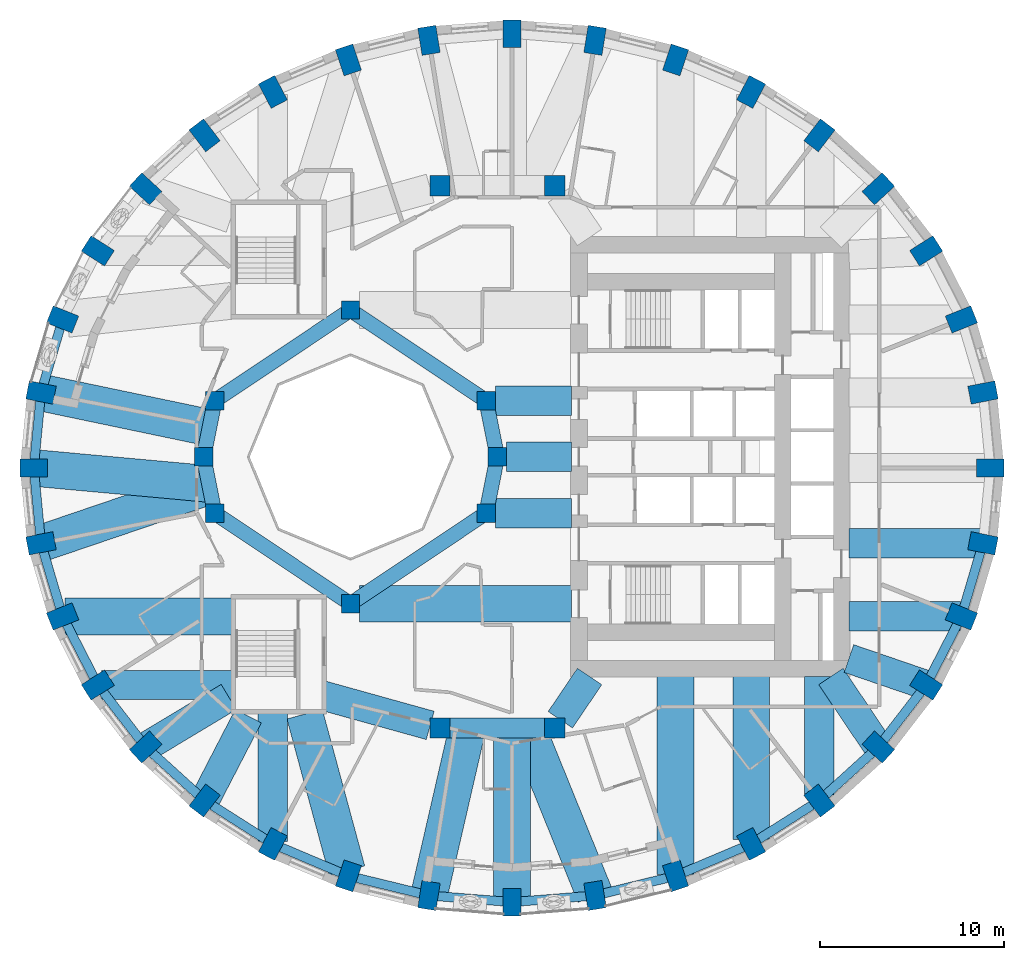
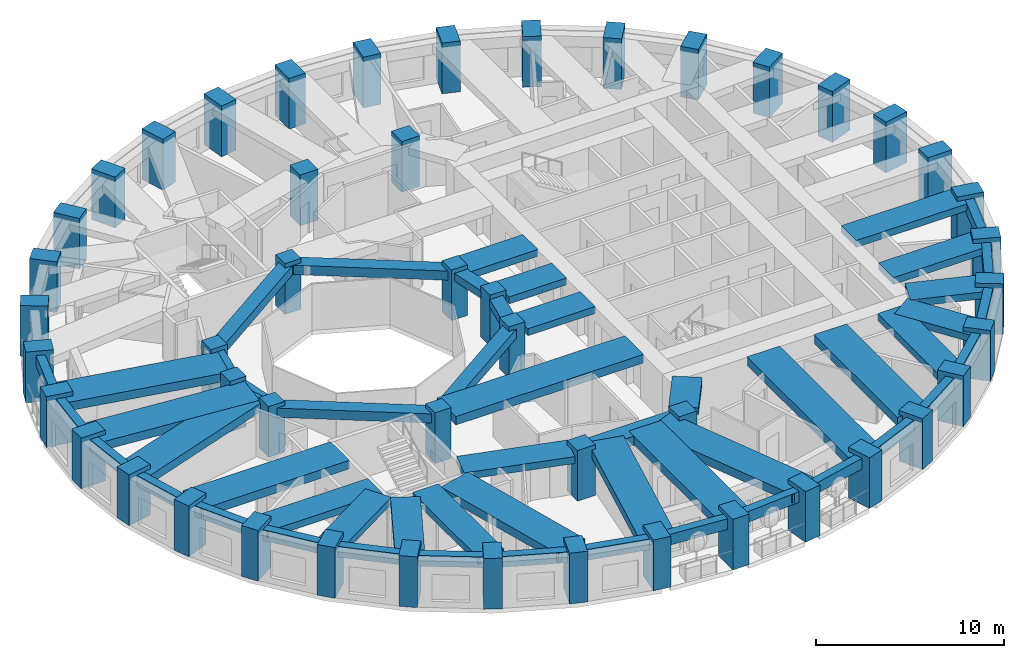
# One storey, part 1 of 13: 53 beams, 48 columns.
"""IFC4 building model written with IfcOpenShell, lengths in metres."""

from ifc_helpers import new_model, si_unit, direction, frame, origin, origin_2d, place, context, subcontext, project, spatial, rectangle, extrude, material, material_profile, profile_set, type_object, element, save


model = new_model("IFC4")

# Units and contexts
model_context = context("Model", 3, precision=1e-05, world=origin(), true_north=direction((0.0, 1.0)))
body_context = subcontext(model_context, "Body", "Model", "MODEL_VIEW")
ifc_project = project(units=[si_unit("LENGTHUNIT", "METRE"), si_unit("AREAUNIT", "SQUARE_METRE"), si_unit("VOLUMEUNIT", "CUBIC_METRE"), si_unit("PLANEANGLEUNIT", "RADIAN"), si_unit("MASSUNIT", "GRAM", prefix="KILO")], contexts=[model_context])

# Site, building, storey
site_placement = place(None, origin())
site = spatial("IfcSite", under=ifc_project, at=site_placement, CompositionType="ELEMENT")
building_placement = place(site_placement, origin())
building = spatial("IfcBuilding", under=site, at=building_placement, Name="Taillehof Tower", CompositionType="ELEMENT")
storey_placement = place(building_placement, frame((0.0, 0.0, 108.699951171875)))
storey = spatial("IfcBuildingStorey", under=building, at=storey_placement, Name="L30", CompositionType="ELEMENT", Elevation=108.699951171875)

# Columns
ifc_material_1 = material(Name="Concrete C50/60", Category="concrete")
ifc_material_profile_1 = material_profile(ifc_material_1, rectangle(XDim=1.0, YDim=1.0, at=origin_2d()), Name="RC 1000x1000")
ifc_profile_set_1 = profile_set([ifc_material_profile_1], Name="Concrete C50/60")
column_type_1 = type_object("IfcColumnType", Name="Atrium ring column C50/60 1000x1000", PredefinedType="COLUMN", material=ifc_profile_set_1)
for number, where, z_axis, x_axis, name in (
    (1, (0.0, 0.0, 0.0), (0.0, 0.0, 1.0), (1.0, 0.0, 0.0), "Column AC01"),
    (2, (-0.60888671875, 3.0615234375, 0.0), (0.0, 0.0, 1.0), (1.0, 0.0, 0.0), "Column AC02"),
    (3, (-8.0, 8.0, 0.0), (0.0, 0.0, 1.0), (1.0, 0.0, 0.0), "Column AC05"),
    (4, (-15.39111328125, 3.0615234375, 0.0), (0.0, 0.0, 1.0), (1.0, 0.0, 0.0), "Column AC08"),
    (5, (-16.0, 0.0, 0.0), (0.0, 0.0, 1.0), (1.0, 0.0, 0.0), "Column AC09"),
    (6, (-15.39111328125, -3.0615234375, 0.0), (0.0, 0.0, 1.0), (1.0, 0.0, 0.0), "Column AC10"),
    (7, (-8.0, -8.0, 0.0), (0.0, 0.0, 1.0), (1.0, 0.0, 0.0), "Column AC13"),
    (8, (-0.60888671875, -3.0615234375, 0.0), (0.0, 0.0, 1.0), (1.0, 0.0, 0.0), "Column AC16"),
):
    element("IfcColumn", number, at=place(storey_placement, frame(where, z_axis=z_axis, x_axis=x_axis)), inside=storey, type_object=column_type_1, Name=name, PredefinedType="COLUMN", context=body_context, shape_type="SweptSolid", body=[
        extrude(rectangle(XDim=1.0, YDim=1.0, at=origin_2d()), origin(), (0.0, 0.0, 1.0), 3.300048828125),
    ])
ifc_material_2 = material(Name="Concrete C50/60", Category="concrete")
ifc_material_profile_2 = material_profile(ifc_material_2, rectangle(XDim=1.10009765625, YDim=1.10009765625, at=origin_2d()), Name="RC 1100x1100")
ifc_profile_set_2 = profile_set([ifc_material_profile_2], Name="Concrete C50/60")
column_type_2 = type_object("IfcColumnType", Name="Mid-ring column C50/60 1100x1100", PredefinedType="COLUMN", material=ifc_profile_set_2)
for number, where, z_axis, x_axis, name in (
    (9, (3.125732421875, 14.772216796875, 0.0), (0.0, 0.0, 1.0), (1.0, 0.0, 0.0), "Column MC05"),
    (10, (-3.125732421875, 14.772216796875, 0.0), (0.0, 0.0, 1.0), (1.0, 0.0, 0.0), "Column MC06"),
    (11, (-3.125732421875, -14.772216796875, 0.0), (0.0, 0.0, 1.0), (1.0, 0.0, 0.0), "Column MC14"),
    (12, (3.125732421875, -14.772216796875, 0.0), (0.0, 0.0, 1.0), (1.0, 0.0, 0.0), "Column MC15"),
):
    element("IfcColumn", number, at=place(storey_placement, frame(where, z_axis=z_axis, x_axis=x_axis)), inside=storey, type_object=column_type_2, Name=name, PredefinedType="COLUMN", context=body_context, shape_type="SweptSolid", body=[
        extrude(rectangle(XDim=1.10009765625, YDim=1.10009765625, at=origin_2d()), origin(), (0.0, 0.0, 1.0), 3.300048828125),
    ])
ifc_material_3 = material(Name="Concrete C70/85", Category="concrete")
ifc_material_profile_3 = material_profile(ifc_material_3, rectangle(XDim=1.5, YDim=1.0, at=origin_2d()), Name="RC 1500x1000")
ifc_profile_set_3 = profile_set([ifc_material_profile_3], Name="Concrete C70/85")
column_type_3 = type_object("IfcColumnType", Name="Ring column C70/85 1500x1000", PredefinedType="COLUMN", material=ifc_profile_set_3)
for number, where, z_axis, x_axis, name in (
    (13, (26.85009765625, -0.60009765625, 0.0), (0.0, 0.0, 1.0), (1.0, 0.0, 0.0), "Ring column RC01"),
    (14, (26.454345703125, 3.5068359375, 0.0), (0.0, 0.0, 1.0), (0.981757466121, 0.190137523166, 0.0), "Ring column RC02"),
    (15, (25.279052734375, 7.48876953125, 0.0), (0.0, 0.0, 1.0), (0.928550110352, 0.371207075048, 0.0), "Ring column RC03"),
    (16, (23.35986328125, 11.22509765625, 0.0), (0.0, 0.0, 1.0), (0.844511454562, 0.535537489923, 0.0), "Ring column RC04"),
    (17, (20.75537109375, 14.60205078125, 0.0), (0.0, 0.0, 1.0), (0.735332034083, 0.677707016085, 0.0), "Ring column RC05"),
    (18, (17.544677734375, 17.516845703125, 0.0), (0.0, 0.0, 1.0), (0.607074228939, 0.794645128694, 0.0), "Ring column RC06"),
    (19, (13.824951171875, 19.881591796875, 0.0), (0.0, 0.0, 1.0), (0.465283017627, 0.885161970211, 0.0), "Ring column RC07"),
    (20, (9.709716796875, 21.623779296875, 0.0), (0.0, 0.0, 1.0), (0.314554972703, 0.949239258116, 0.0), "Ring column RC08"),
    (21, (5.323486328125, 22.690673828125, 0.0), (0.0, 0.0, 1.0), (0.158507038215, 0.987357847407, 0.0), "Ring column RC09"),
    (22, (0.800048828125, 23.050048828125, 0.0), (0.0, 0.0, 1.0), (0.0, 1.0, 0.0), "Ring column RC10"),
    (23, (-3.7236328125, 22.690673828125, 0.0), (0.0, 0.0, 1.0), (-0.158507038215, 0.987357847407, 0.0), "Ring column RC11"),
    (24, (-8.109619140625, 21.623779296875, 0.0), (0.0, 0.0, 1.0), (-0.314554972703, 0.949239258116, 0.0), "Ring column RC12"),
    (25, (-12.22509765625, 19.881591796875, 0.0), (0.0, 0.0, 1.0), (-0.465283017627, 0.885161970211, 0.0), "Ring column RC13"),
    (26, (-15.944580078125, 17.516845703125, 0.0), (0.0, 0.0, 1.0), (-0.607074228939, 0.794645128694, 0.0), "Ring column RC14"),
    (27, (-19.155517578125, 14.60205078125, 0.0), (0.0, 0.0, 1.0), (-0.735332034083, 0.677707016085, 0.0), "Ring column RC15"),
    (28, (-21.760009765625, 11.22509765625, 0.0), (0.0, 0.0, 1.0), (-0.844511454562, 0.535537489923, 0.0), "Ring column RC16"),
    (29, (-23.678955078125, 7.48876953125, 0.0), (0.0, 0.0, 1.0), (-0.928550110352, 0.371207075048, 0.0), "Ring column RC17"),
    (30, (-24.854248046875, 3.5068359375, 0.0), (0.0, 0.0, 1.0), (-0.981757466121, 0.190137523166, 0.0), "Ring column RC18"),
    (31, (-25.25, -0.60009765625, 0.0), (0.0, 0.0, 1.0), (-1.0, 0.0, 0.0), "Ring column RC19"),
    (32, (-24.854248046875, -4.706787109375, 0.0), (0.0, 0.0, 1.0), (-0.981757466121, -0.190137523166, 0.0), "Ring column RC20"),
    (33, (-23.678955078125, -8.688720703125, 0.0), (0.0, 0.0, 1.0), (-0.928550110352, -0.371207075048, 0.0), "Ring column RC21"),
    (34, (-21.760009765625, -12.425048828125, 0.0), (0.0, 0.0, 1.0), (-0.844511454562, -0.535537489923, 0.0), "Ring column RC22"),
    (35, (-19.155517578125, -15.802001953125, 0.0), (0.0, 0.0, 1.0), (-0.735332034083, -0.677707016085, 0.0), "Ring column RC23"),
    (36, (-15.944580078125, -18.717041015625, 0.0), (0.0, 0.0, 1.0), (-0.607074228939, -0.794645128694, 0.0), "Ring column RC24"),
    (37, (-12.22509765625, -21.08154296875, 0.0), (0.0, 0.0, 1.0), (-0.465283017627, -0.885161970211, 0.0), "Ring column RC25"),
    (38, (-8.109619140625, -22.82373046875, 0.0), (0.0, 0.0, 1.0), (-0.314554972703, -0.949239258116, 0.0), "Ring column RC26"),
    (39, (-3.7236328125, -23.890625, 0.0), (0.0, 0.0, 1.0), (-0.158507038215, -0.987357847407, 0.0), "Ring column RC27"),
    (40, (0.800048828125, -24.25, 0.0), (0.0, 0.0, 1.0), (0.0, -1.0, 0.0), "Ring column RC28"),
    (41, (5.323486328125, -23.890625, 0.0), (0.0, 0.0, 1.0), (0.158507038215, -0.987357847407, 0.0), "Ring column RC29"),
    (42, (9.709716796875, -22.82373046875, 0.0), (0.0, 0.0, 1.0), (0.314554972703, -0.949239258116, 0.0), "Ring column RC30"),
    (43, (13.824951171875, -21.08154296875, 0.0), (0.0, 0.0, 1.0), (0.465283017627, -0.885161970211, 0.0), "Ring column RC31"),
    (44, (17.544677734375, -18.717041015625, 0.0), (0.0, 0.0, 1.0), (0.607074228939, -0.794645128694, 0.0), "Ring column RC32"),
    (45, (20.75537109375, -15.802001953125, 0.0), (0.0, 0.0, 1.0), (0.735332034083, -0.677707016085, 0.0), "Ring column RC33"),
    (46, (23.35986328125, -12.425048828125, 0.0), (0.0, 0.0, 1.0), (0.844511454562, -0.535537489923, 0.0), "Ring column RC34"),
    (47, (25.279052734375, -8.688720703125, 0.0), (0.0, 0.0, 1.0), (0.928550110352, -0.371207075048, 0.0), "Ring column RC35"),
    (48, (26.454345703125, -4.706787109375, 0.0), (0.0, 0.0, 1.0), (0.981757466121, -0.190137523166, 0.0), "Ring column RC36"),
):
    element("IfcColumn", number, at=place(storey_placement, frame(where, z_axis=z_axis, x_axis=x_axis)), inside=storey, type_object=column_type_3, Name=name, PredefinedType="COLUMN", context=body_context, shape_type="SweptSolid", body=[
        extrude(rectangle(XDim=1.5, YDim=1.0, at=origin_2d()), origin(), (0.0, 0.0, 1.0), 3.300048828125),
    ])

# Beams
ifc_material_4 = material(Name="Concrete C50/60", Category="concrete")
ifc_material_profile_4 = material_profile(ifc_material_4, rectangle(XDim=0.800048828125, YDim=0.5, at=origin_2d()), Name="RC 800x500")
ifc_profile_set_4 = profile_set([ifc_material_profile_4], Name="Concrete C50/60")
beam_type_1 = type_object("IfcBeamType", Name="Atrium ring beam C50/60 800x500", PredefinedType="BEAM", material=ifc_profile_set_4)
for number, where, z_axis, x_axis, name in (
    (49, (0.0, 0.0, 2.77001953125), (-0.195063155143, 0.980790683839, 0.0), (-0.980790683839, -0.195063155143, 0.0), "Atrium ring beam AB01"),
    (50, (-15.39111328125, 3.0615234375, 2.77001953125), (-0.195063155143, -0.980790683839, 0.0), (0.980790683839, -0.195063155143, 0.0), "Atrium ring beam AB04"),
    (51, (-16.0, 0.0, 2.77001953125), (0.195063155143, -0.980790683839, 0.0), (0.980790683839, 0.195063155143, 0.0), "Atrium ring beam AB05"),
    (52, (-0.60888671875, -3.0615234375, 2.77001953125), (0.195063155143, 0.980790683839, 0.0), (-0.980790683839, 0.195063155143, 0.0), "Atrium ring beam AB08"),
):
    element("IfcBeam", number, at=place(storey_placement, frame(where, z_axis=z_axis, x_axis=x_axis)), inside=storey, type_object=beam_type_1, Name=name, PredefinedType="BEAM", context=body_context, shape_type="SweptSolid", body=[
        extrude(rectangle(XDim=0.800048828125, YDim=0.5, at=origin_2d()), origin(), (0.0, 0.0, 1.0), 3.12158203125),
    ])
ifc_material_5 = material(Name="Concrete C50/60", Category="concrete")
ifc_material_profile_5 = material_profile(ifc_material_5, rectangle(XDim=0.800048828125, YDim=0.60009765625, at=origin_2d()), Name="RC 800x600")
ifc_profile_set_5 = profile_set([ifc_material_profile_5], Name="Concrete C50/60")
beam_type_2 = type_object("IfcBeamType", Name="Atrium ring beam C50/60 800x600", PredefinedType="BEAM", material=ifc_profile_set_5)
for number, where, z_axis, x_axis, name in (
    (53, (-0.60888671875, 3.0615234375, 2.719970703125), (-0.831475195687, 0.555561876804, 0.0), (-0.555561876804, -0.831475195687, 0.0), "Atrium ring beam AB02"),
    (54, (-8.0, 8.0, 2.719970703125), (-0.831475195687, -0.555561876804, 0.0), (0.555561876804, -0.831475195687, 0.0), "Atrium ring beam AB03"),
    (55, (-15.39111328125, -3.0615234375, 2.719970703125), (0.831475195687, -0.555561876804, 0.0), (0.555561876804, 0.831475195687, 0.0), "Atrium ring beam AB06"),
    (56, (-8.0, -8.0, 2.719970703125), (0.831475195687, 0.555561876804, 0.0), (-0.555561876804, 0.831475195687, 0.0), "Atrium ring beam AB07"),
):
    element("IfcBeam", number, at=place(storey_placement, frame(where, z_axis=z_axis, x_axis=x_axis)), inside=storey, type_object=beam_type_2, Name=name, PredefinedType="BEAM", context=body_context, shape_type="SweptSolid", body=[
        extrude(rectangle(XDim=0.800048828125, YDim=0.60009765625, at=origin_2d()), origin(), (0.0, 0.0, 1.0), 8.88916015625),
    ])
ifc_material_6 = material(Name="Concrete C50/60", Category="concrete")
ifc_material_profile_6 = material_profile(ifc_material_6, rectangle(XDim=1.10009765625, YDim=0.60009765625, at=origin_2d()), Name="RC 1100x600")
ifc_profile_set_6 = profile_set([ifc_material_profile_6], Name="Concrete C50/60")
beam_type_3 = type_object("IfcBeamType", Name="Mid-ring beam C50/60 1100x600", PredefinedType="BEAM", material=ifc_profile_set_6)
beam_1_placement = place(storey_placement, frame((-3.125732421875, -14.772216796875, 2.719970703125), z_axis=(1.0, 0.0, 0.0), x_axis=(0.0, 1.0, 0.0)))
element("IfcBeam", 57, at=beam_1_placement, inside=storey, type_object=beam_type_3, Name="Mid-ring beam MB02", PredefinedType="BEAM", context=body_context, shape_type="SweptSolid", body=[
    extrude(rectangle(XDim=1.10009765625, YDim=0.60009765625, at=origin_2d()), origin(), (0.0, 0.0, 1.0), 6.25146484375),
])
ifc_material_7 = material(Name="Concrete C50/60", Category="concrete")
ifc_material_profile_7 = material_profile(ifc_material_7, rectangle(XDim=1.60009765625, YDim=0.449951171875, at=origin_2d()), Name="RC 1600x450")
ifc_profile_set_7 = profile_set([ifc_material_profile_7], Name="Concrete C50/60")
beam_type_4 = type_object("IfcBeamType", Name="Radial band beam C50/60 1600x450", PredefinedType="BEAM", material=ifc_profile_set_7)
beam_2_placement = place(storey_placement, frame((-21.54736328125, -12.425048828125, 2.795166015625), z_axis=(1.0, 0.0, 0.0), x_axis=(0.0, 1.0, 0.0)))
element("IfcBeam", 58, at=beam_2_placement, inside=storey, type_object=beam_type_4, Name="Radial band beam RB22", PredefinedType="BEAM", context=body_context, shape_type="SweptSolid", body=[
    extrude(rectangle(XDim=1.60009765625, YDim=0.449951171875, at=origin_2d()), origin(), (0.0, 0.0, 1.0), 7.097412109375),
])
beam_3_placement = place(storey_placement, frame((-19.155517578125, -15.802001953125, 2.795166015625), z_axis=(0.856794973818, 0.515657224171, 0.0), x_axis=(-0.515657224171, 0.856794973818, 0.0)))
element("IfcBeam", 59, at=beam_3_placement, inside=storey, type_object=beam_type_4, Name="Radial band beam RB23", PredefinedType="BEAM", context=body_context, shape_type="SweptSolid", body=[
    extrude(rectangle(XDim=1.60009765625, YDim=0.449951171875, at=origin_2d()), origin(), (0.0, 0.0, 1.0), 5.28369140625),
])
beam_4_placement = place(storey_placement, frame((-15.944580078125, -18.717041015625, 2.795166015625), z_axis=(0.460119038647, 0.8878572353, 0.0), x_axis=(-0.8878572353, 0.460119038647, 0.0)))
element("IfcBeam", 60, at=beam_4_placement, inside=storey, type_object=beam_type_4, Name="Radial band beam RB24", PredefinedType="BEAM", context=body_context, shape_type="SweptSolid", body=[
    extrude(rectangle(XDim=1.60009765625, YDim=0.449951171875, at=origin_2d()), origin(), (0.0, 0.0, 1.0), 5.1796875),
])
beam_5_placement = place(storey_placement, frame((-12.22509765625, -20.9443359375, 2.795166015625), z_axis=(0.0, 1.0, 0.0), x_axis=(-1.0, 0.0, 0.0)))
element("IfcBeam", 61, at=beam_5_placement, inside=storey, type_object=beam_type_4, Name="Radial band beam RB25", PredefinedType="BEAM", context=body_context, shape_type="SweptSolid", body=[
    extrude(rectangle(XDim=1.60009765625, YDim=0.449951171875, at=origin_2d()), origin(), (0.0, 0.0, 1.0), 6.994384765625),
])
beam_6_placement = place(storey_placement, frame((17.544677734375, -18.421875, 2.795166015625), z_axis=(0.0, 1.0, 0.0), x_axis=(-1.0, 0.0, 0.0)))
element("IfcBeam", 62, at=beam_6_placement, inside=storey, type_object=beam_type_4, Name="Radial band beam RB32", PredefinedType="BEAM", context=body_context, shape_type="SweptSolid", body=[
    extrude(rectangle(XDim=1.60009765625, YDim=0.449951171875, at=origin_2d()), origin(), (0.0, 0.0, 1.0), 6.471923828125),
])
beam_7_placement = place(storey_placement, frame((20.75537109375, -15.802001953125, 2.795166015625), z_axis=(-0.557822939952, 0.829959979555, 0.0), x_axis=(-0.829959979555, -0.557822939952, 0.0)))
element("IfcBeam", 63, at=beam_7_placement, inside=storey, type_object=beam_type_4, Name="Radial band beam RB33", PredefinedType="BEAM", context=body_context, shape_type="SweptSolid", body=[
    extrude(rectangle(XDim=1.60009765625, YDim=0.449951171875, at=origin_2d()), origin(), (0.0, 0.0, 1.0), 4.630859375),
])
beam_8_placement = place(storey_placement, frame((23.35986328125, -12.425048828125, 2.795166015625), z_axis=(-0.946037817118, 0.324056242932, 0.0), x_axis=(-0.324056242932, -0.946037817118, 0.0)))
element("IfcBeam", 64, at=beam_8_placement, inside=storey, type_object=beam_type_4, Name="Radial band beam RB34", PredefinedType="BEAM", context=body_context, shape_type="SweptSolid", body=[
    extrude(rectangle(XDim=1.60009765625, YDim=0.449951171875, at=origin_2d()), origin(), (0.0, 0.0, 1.0), 4.447265625),
])
beam_9_placement = place(storey_placement, frame((25.2275390625, -8.688720703125, 2.795166015625), z_axis=(-1.0, 0.0, 0.0), x_axis=(0.0, -1.0, 0.0)))
element("IfcBeam", 65, at=beam_9_placement, inside=storey, type_object=beam_type_4, Name="Radial band beam RB35", PredefinedType="BEAM", context=body_context, shape_type="SweptSolid", body=[
    extrude(rectangle(XDim=1.60009765625, YDim=0.449951171875, at=origin_2d()), origin(), (0.0, 0.0, 1.0), 6.07763671875),
])
beam_10_placement = place(storey_placement, frame((26.454345703125, -4.706787109375, 2.795166015625), z_axis=(-1.0, 0.0, 0.0), x_axis=(0.0, -1.0, 0.0)))
element("IfcBeam", 66, at=beam_10_placement, inside=storey, type_object=beam_type_4, Name="Radial band beam RB36", PredefinedType="BEAM", context=body_context, shape_type="SweptSolid", body=[
    extrude(rectangle(XDim=1.60009765625, YDim=0.449951171875, at=origin_2d()), origin(), (0.0, 0.0, 1.0), 7.304443359375),
])
beam_11_placement = place(storey_placement, frame((0.5, 0.0, 2.795166015625), z_axis=(1.0, 0.0, 0.0), x_axis=(0.0, 1.0, 0.0)))
element("IfcBeam", 67, at=beam_11_placement, inside=storey, type_object=beam_type_4, Name="Inner band beam IB101", PredefinedType="BEAM", context=body_context, shape_type="SweptSolid", body=[
    extrude(rectangle(XDim=1.60009765625, YDim=0.449951171875, at=origin_2d()), origin(), (0.0, 0.0, 1.0), 3.550048828125),
])
for number, where, z_axis, x_axis, name in (
    (68, (-0.10888671875, 3.0615234375, 2.795166015625), (1.0, 0.0, 0.0), (0.0, 1.0, 0.0), "Inner band beam IB102"),
    (69, (-0.10888671875, -3.0615234375, 2.795166015625), (1.0, 0.0, 0.0), (0.0, 1.0, 0.0), "Inner band beam IB116"),
):
    element("IfcBeam", number, at=place(storey_placement, frame(where, z_axis=z_axis, x_axis=x_axis)), inside=storey, type_object=beam_type_4, Name=name, PredefinedType="BEAM", context=body_context, shape_type="SweptSolid", body=[
        extrude(rectangle(XDim=1.60009765625, YDim=0.449951171875, at=origin_2d()), origin(), (0.0, 0.0, 1.0), 4.158935546875),
    ])
beam_12_placement = place(storey_placement, frame((-3.655517578125, -14.624755859375, 2.795166015625), z_axis=(-0.963459369536, 0.267854518821, 0.0), x_axis=(-0.267854518821, -0.963459369536, 0.0)))
element("IfcBeam", 70, at=beam_12_placement, inside=storey, type_object=beam_type_4, Name="Inner band beam IB214", PredefinedType="BEAM", context=body_context, shape_type="SweptSolid", body=[
    extrude(rectangle(XDim=1.60009765625, YDim=0.449951171875, at=origin_2d()), origin(), (0.0, 0.0, 1.0), 6.096923828125),
])
beam_13_placement = place(storey_placement, frame((3.433837890625, -14.31640625, 2.795166015625), z_axis=(0.560112043398, 0.828416862962, 0.0), x_axis=(-0.828416862962, 0.560112043398, 0.0)))
element("IfcBeam", 71, at=beam_13_placement, inside=storey, type_object=beam_type_4, Name="Inner band beam IB215", PredefinedType="BEAM", context=body_context, shape_type="SweptSolid", body=[
    extrude(rectangle(XDim=1.60009765625, YDim=0.449951171875, at=origin_2d()), origin(), (0.0, 0.0, 1.0), 2.84619140625),
])
ifc_material_8 = material(Name="Concrete C50/60", Category="concrete")
ifc_material_profile_8 = material_profile(ifc_material_8, rectangle(XDim=2.0, YDim=0.550048828125, at=origin_2d()), Name="RC 2000x550")
ifc_profile_set_8 = profile_set([ifc_material_profile_8], Name="Concrete C50/60")
beam_type_5 = type_object("IfcBeamType", Name="Radial band beam C50/60 2000x550", PredefinedType="BEAM", material=ifc_profile_set_8)
beam_14_placement = place(storey_placement, frame((-24.854248046875, 3.5068359375, 2.7451171875), z_axis=(0.978853404319, -0.204562980164, 0.0), x_axis=(0.204562980164, 0.978853404319, 0.0)))
element("IfcBeam", 72, at=beam_14_placement, inside=storey, type_object=beam_type_5, Name="Radial band beam RB18", PredefinedType="BEAM", context=body_context, shape_type="SweptSolid", body=[
    extrude(rectangle(XDim=2.0, YDim=0.550048828125, at=origin_2d()), origin(), (0.0, 0.0, 1.0), 9.36865234375),
])
beam_15_placement = place(storey_placement, frame((-25.25, -0.60009765625, 2.7451171875), z_axis=(0.995859515154, -0.090905588816, 0.0), x_axis=(0.090905588816, 0.995859515154, 0.0)))
element("IfcBeam", 73, at=beam_15_placement, inside=storey, type_object=beam_type_5, Name="Radial band beam RB19", PredefinedType="BEAM", context=body_context, shape_type="SweptSolid", body=[
    extrude(rectangle(XDim=2.0, YDim=0.550048828125, at=origin_2d()), origin(), (0.0, 0.0, 1.0), 9.58251953125),
])
beam_16_placement = place(storey_placement, frame((-24.854248046875, -4.706787109375, 2.7451171875), z_axis=(0.946822052625, 0.321757673822, 0.0), x_axis=(-0.321757673822, 0.946822052625, 0.0)))
element("IfcBeam", 74, at=beam_16_placement, inside=storey, type_object=beam_type_5, Name="Radial band beam RB20", PredefinedType="BEAM", context=body_context, shape_type="SweptSolid", body=[
    extrude(rectangle(XDim=2.0, YDim=0.550048828125, at=origin_2d()), origin(), (0.0, 0.0, 1.0), 9.685791015625),
])
beam_17_placement = place(storey_placement, frame((-23.54736328125, -8.688720703125, 2.7451171875), z_axis=(1.0, 0.0, 0.0), x_axis=(0.0, 1.0, 0.0)))
element("IfcBeam", 75, at=beam_17_placement, inside=storey, type_object=beam_type_5, Name="Radial band beam RB21", PredefinedType="BEAM", context=body_context, shape_type="SweptSolid", body=[
    extrude(rectangle(XDim=2.0, YDim=0.550048828125, at=origin_2d()), origin(), (0.0, 0.0, 1.0), 9.097412109375),
])
beam_18_placement = place(storey_placement, frame((-8.186767578125, -22.539306640625, 2.7451171875), z_axis=(-0.261461600872, 0.965213878511, 0.0), x_axis=(-0.965213878511, -0.261461600872, 0.0)))
element("IfcBeam", 76, at=beam_18_placement, inside=storey, type_object=beam_type_5, Name="Radial band beam RB26", PredefinedType="BEAM", context=body_context, shape_type="SweptSolid", body=[
    extrude(rectangle(XDim=2.0, YDim=0.550048828125, at=origin_2d()), origin(), (0.0, 0.0, 1.0), 8.835205078125),
])
beam_19_placement = place(storey_placement, frame((-3.7236328125, -23.890625, 2.7451171875), z_axis=(0.224215346781, 0.974539623755, 0.0), x_axis=(-0.974539623755, 0.224215346781, 0.0)))
element("IfcBeam", 77, at=beam_19_placement, inside=storey, type_object=beam_type_5, Name="Radial band beam RB27", PredefinedType="BEAM", context=body_context, shape_type="SweptSolid", body=[
    extrude(rectangle(XDim=2.0, YDim=0.550048828125, at=origin_2d()), origin(), (0.0, 0.0, 1.0), 9.356689453125),
])
beam_20_placement = place(storey_placement, frame((0.800048828125, -24.25, 2.7451171875), z_axis=(0.0, 1.0, 0.0), x_axis=(-1.0, 0.0, 0.0)))
element("IfcBeam", 78, at=beam_20_placement, inside=storey, type_object=beam_type_5, Name="Radial band beam RB28", PredefinedType="BEAM", context=body_context, shape_type="SweptSolid", body=[
    extrude(rectangle(XDim=2.0, YDim=0.550048828125, at=origin_2d()), origin(), (0.0, 0.0, 1.0), 9.477783203125),
])
beam_21_placement = place(storey_placement, frame((5.323486328125, -23.890625, 2.7451171875), z_axis=(-0.375801287916, 0.926700270854, 0.0), x_axis=(-0.926700270854, -0.375801287916, 0.0)))
element("IfcBeam", 79, at=beam_21_placement, inside=storey, type_object=beam_type_5, Name="Radial band beam RB29", PredefinedType="BEAM", context=body_context, shape_type="SweptSolid", body=[
    extrude(rectangle(XDim=2.0, YDim=0.550048828125, at=origin_2d()), origin(), (0.0, 0.0, 1.0), 9.839599609375),
])
beam_22_placement = place(storey_placement, frame((9.709716796875, -22.756591796875, 2.7451171875), z_axis=(0.0, 1.0, 0.0), x_axis=(-1.0, 0.0, 0.0)))
element("IfcBeam", 80, at=beam_22_placement, inside=storey, type_object=beam_type_5, Name="Radial band beam RB30", PredefinedType="BEAM", context=body_context, shape_type="SweptSolid", body=[
    extrude(rectangle(XDim=2.0, YDim=0.550048828125, at=origin_2d()), origin(), (0.0, 0.0, 1.0), 10.806640625),
])
beam_23_placement = place(storey_placement, frame((13.824951171875, -20.839599609375, 2.7451171875), z_axis=(0.0, 1.0, 0.0), x_axis=(-1.0, 0.0, 0.0)))
element("IfcBeam", 81, at=beam_23_placement, inside=storey, type_object=beam_type_5, Name="Radial band beam RB31", PredefinedType="BEAM", context=body_context, shape_type="SweptSolid", body=[
    extrude(rectangle(XDim=2.0, YDim=0.550048828125, at=origin_2d()), origin(), (0.0, 0.0, 1.0), 8.8896484375),
])
beam_24_placement = place(storey_placement, frame((-7.5, -8.0, 2.7451171875), z_axis=(1.0, 0.0, 0.0), x_axis=(0.0, 1.0, 0.0)))
element("IfcBeam", 82, at=beam_24_placement, inside=storey, type_object=beam_type_5, Name="Inner band beam IB113", PredefinedType="BEAM", context=body_context, shape_type="SweptSolid", body=[
    extrude(rectangle(XDim=2.0, YDim=0.550048828125, at=origin_2d()), origin(), (0.0, 0.0, 1.0), 11.550048828125),
])
ifc_material_9 = material(Name="Concrete C50/60", Category="concrete")
ifc_material_profile_9 = material_profile(ifc_material_9, rectangle(XDim=0.5, YDim=0.699951171875, at=origin_2d()), Name="RC 500x700")
ifc_profile_set_9 = profile_set([ifc_material_profile_9], Name="Concrete C50/60")
beam_type_6 = type_object("IfcBeamType", Name="Spandrel beam C50/60 500x700", PredefinedType="SPANDREL", material=ifc_profile_set_9)
beam_25_placement = place(storey_placement, frame((-23.678955078125, 7.48876953125, 2.670166015625), z_axis=(-0.28308309012, -0.95909538842, 0.0), x_axis=(0.95909538842, -0.28308309012, 0.0)))
element("IfcBeam", 83, at=beam_25_placement, inside=storey, type_object=beam_type_6, Name="Spandrel beam SB17", PredefinedType="SPANDREL", context=body_context, shape_type="SweptSolid", body=[
    extrude(rectangle(XDim=0.5, YDim=0.699951171875, at=origin_2d()), origin(), (0.0, 0.0, 1.0), 4.15185546875),
])
beam_26_placement = place(storey_placement, frame((-24.854248046875, 3.5068359375, 2.670166015625), z_axis=(-0.095917608943, -0.995389276763, 0.0), x_axis=(0.995389276763, -0.095917608943, 0.0)))
element("IfcBeam", 84, at=beam_26_placement, inside=storey, type_object=beam_type_6, Name="Spandrel beam SB18", PredefinedType="SPANDREL", context=body_context, shape_type="SweptSolid", body=[
    extrude(rectangle(XDim=0.5, YDim=0.699951171875, at=origin_2d()), origin(), (0.0, 0.0, 1.0), 4.1259765625),
])
beam_27_placement = place(storey_placement, frame((-25.25, -0.60009765625, 2.670166015625), z_axis=(0.09592325873, -0.995388732323, 0.0), x_axis=(0.995388732323, 0.09592325873, 0.0)))
element("IfcBeam", 85, at=beam_27_placement, inside=storey, type_object=beam_type_6, Name="Spandrel beam SB19", PredefinedType="SPANDREL", context=body_context, shape_type="SweptSolid", body=[
    extrude(rectangle(XDim=0.5, YDim=0.699951171875, at=origin_2d()), origin(), (0.0, 0.0, 1.0), 4.125732421875),
])
beam_28_placement = place(storey_placement, frame((-24.854248046875, -4.706787109375, 2.670166015625), z_axis=(0.28308309012, -0.95909538842, 0.0), x_axis=(0.95909538842, 0.28308309012, 0.0)))
element("IfcBeam", 86, at=beam_28_placement, inside=storey, type_object=beam_type_6, Name="Spandrel beam SB20", PredefinedType="SPANDREL", context=body_context, shape_type="SweptSolid", body=[
    extrude(rectangle(XDim=0.5, YDim=0.699951171875, at=origin_2d()), origin(), (0.0, 0.0, 1.0), 4.15185546875),
])
beam_29_placement = place(storey_placement, frame((-23.678955078125, -8.688720703125, 2.670166015625), z_axis=(0.456859381733, -0.889538928503, 0.0), x_axis=(0.889538928503, 0.456859381733, 0.0)))
element("IfcBeam", 87, at=beam_29_placement, inside=storey, type_object=beam_type_6, Name="Spandrel beam SB21", PredefinedType="SPANDREL", context=body_context, shape_type="SweptSolid", body=[
    extrude(rectangle(XDim=0.5, YDim=0.699951171875, at=origin_2d()), origin(), (0.0, 0.0, 1.0), 4.2001953125),
])
beam_30_placement = place(storey_placement, frame((-21.760009765625, -12.425048828125, 2.670166015625), z_axis=(0.61071731561, -0.79184869793, 0.0), x_axis=(0.79184869793, 0.61071731561, 0.0)))
element("IfcBeam", 88, at=beam_30_placement, inside=storey, type_object=beam_type_6, Name="Spandrel beam SB22", PredefinedType="SPANDREL", context=body_context, shape_type="SweptSolid", body=[
    extrude(rectangle(XDim=0.5, YDim=0.699951171875, at=origin_2d()), origin(), (0.0, 0.0, 1.0), 4.2646484375),
])
beam_31_placement = place(storey_placement, frame((-19.155517578125, -15.802001953125, 2.670166015625), z_axis=(0.740398416885, -0.672168270803, 0.0), x_axis=(0.672168270803, 0.740398416885, 0.0)))
element("IfcBeam", 89, at=beam_31_placement, inside=storey, type_object=beam_type_6, Name="Spandrel beam SB23", PredefinedType="SPANDREL", context=body_context, shape_type="SweptSolid", body=[
    extrude(rectangle(XDim=0.5, YDim=0.699951171875, at=origin_2d()), origin(), (0.0, 0.0, 1.0), 4.336669921875),
])
beam_32_placement = place(storey_placement, frame((-15.944580078125, -18.717041015625, 2.670166015625), z_axis=(0.843912293293, -0.536481165773, 0.0), x_axis=(0.536481165773, 0.843912293293, 0.0)))
element("IfcBeam", 90, at=beam_32_placement, inside=storey, type_object=beam_type_6, Name="Spandrel beam SB24", PredefinedType="SPANDREL", context=body_context, shape_type="SweptSolid", body=[
    extrude(rectangle(XDim=0.5, YDim=0.699951171875, at=origin_2d()), origin(), (0.0, 0.0, 1.0), 4.407470703125),
])
beam_33_placement = place(storey_placement, frame((-12.22509765625, -21.08154296875, 2.670166015625), z_axis=(0.920885046825, -0.389834234688, 0.0), x_axis=(0.389834234688, 0.920885046825, 0.0)))
element("IfcBeam", 91, at=beam_33_placement, inside=storey, type_object=beam_type_6, Name="Spandrel beam SB25", PredefinedType="SPANDREL", context=body_context, shape_type="SweptSolid", body=[
    extrude(rectangle(XDim=0.5, YDim=0.699951171875, at=origin_2d()), origin(), (0.0, 0.0, 1.0), 4.468994140625),
])
beam_34_placement = place(storey_placement, frame((-8.109619140625, -22.82373046875, 2.670166015625), z_axis=(0.971665924588, -0.236358479847, 0.0), x_axis=(0.236358479847, 0.971665924588, 0.0)))
element("IfcBeam", 92, at=beam_34_placement, inside=storey, type_object=beam_type_6, Name="Spandrel beam SB26", PredefinedType="SPANDREL", context=body_context, shape_type="SweptSolid", body=[
    extrude(rectangle(XDim=0.5, YDim=0.699951171875, at=origin_2d()), origin(), (0.0, 0.0, 1.0), 4.513916015625),
])
beam_35_placement = place(storey_placement, frame((-3.7236328125, -23.890625, 2.670166015625), z_axis=(0.996859260648, -0.079193525375, 0.0), x_axis=(0.079193525375, 0.996859260648, 0.0)))
element("IfcBeam", 93, at=beam_35_placement, inside=storey, type_object=beam_type_6, Name="Spandrel beam SB27", PredefinedType="SPANDREL", context=body_context, shape_type="SweptSolid", body=[
    extrude(rectangle(XDim=0.5, YDim=0.699951171875, at=origin_2d()), origin(), (0.0, 0.0, 1.0), 4.537841796875),
])
beam_36_placement = place(storey_placement, frame((0.800048828125, -24.25, 2.670166015625), z_axis=(0.996858923208, 0.079197772828, 0.0), x_axis=(-0.079197772828, 0.996858923208, 0.0)))
element("IfcBeam", 94, at=beam_36_placement, inside=storey, type_object=beam_type_6, Name="Spandrel beam SB28", PredefinedType="SPANDREL", context=body_context, shape_type="SweptSolid", body=[
    extrude(rectangle(XDim=0.5, YDim=0.699951171875, at=origin_2d()), origin(), (0.0, 0.0, 1.0), 4.53759765625),
])
beam_37_placement = place(storey_placement, frame((5.323486328125, -23.890625, 2.670166015625), z_axis=(0.971668945916, 0.23634605887, 0.0), x_axis=(-0.23634605887, 0.971668945916, 0.0)))
element("IfcBeam", 95, at=beam_37_placement, inside=storey, type_object=beam_type_6, Name="Spandrel beam SB29", PredefinedType="SPANDREL", context=body_context, shape_type="SweptSolid", body=[
    extrude(rectangle(XDim=0.5, YDim=0.699951171875, at=origin_2d()), origin(), (0.0, 0.0, 1.0), 4.51416015625),
])
beam_38_placement = place(storey_placement, frame((9.709716796875, -22.82373046875, 2.670166015625), z_axis=(0.920876744153, 0.389853847074, 0.0), x_axis=(-0.389853847074, 0.920876744153, 0.0)))
element("IfcBeam", 96, at=beam_38_placement, inside=storey, type_object=beam_type_6, Name="Spandrel beam SB30", PredefinedType="SPANDREL", context=body_context, shape_type="SweptSolid", body=[
    extrude(rectangle(XDim=0.5, YDim=0.699951171875, at=origin_2d()), origin(), (0.0, 0.0, 1.0), 4.46875),
])
beam_39_placement = place(storey_placement, frame((13.824951171875, -21.08154296875, 2.670166015625), z_axis=(0.843928234947, 0.536456087914, 0.0), x_axis=(-0.536456087914, 0.843928234947, 0.0)))
element("IfcBeam", 97, at=beam_39_placement, inside=storey, type_object=beam_type_6, Name="Spandrel beam SB31", PredefinedType="SPANDREL", context=body_context, shape_type="SweptSolid", body=[
    extrude(rectangle(XDim=0.5, YDim=0.699951171875, at=origin_2d()), origin(), (0.0, 0.0, 1.0), 4.40771484375),
])
beam_40_placement = place(storey_placement, frame((17.544677734375, -18.717041015625, 2.670166015625), z_axis=(0.740372980414, 0.672196288202, 0.0), x_axis=(-0.672196288202, 0.740372980414, 0.0)))
element("IfcBeam", 98, at=beam_40_placement, inside=storey, type_object=beam_type_6, Name="Spandrel beam SB32", PredefinedType="SPANDREL", context=body_context, shape_type="SweptSolid", body=[
    extrude(rectangle(XDim=0.5, YDim=0.699951171875, at=origin_2d()), origin(), (0.0, 0.0, 1.0), 4.336669921875),
])
beam_41_placement = place(storey_placement, frame((20.75537109375, -15.802001953125, 2.670166015625), z_axis=(0.61071731561, 0.79184869793, 0.0), x_axis=(-0.79184869793, 0.61071731561, 0.0)))
element("IfcBeam", 99, at=beam_41_placement, inside=storey, type_object=beam_type_6, Name="Spandrel beam SB33", PredefinedType="SPANDREL", context=body_context, shape_type="SweptSolid", body=[
    extrude(rectangle(XDim=0.5, YDim=0.699951171875, at=origin_2d()), origin(), (0.0, 0.0, 1.0), 4.2646484375),
])
beam_42_placement = place(storey_placement, frame((23.35986328125, -12.425048828125, 2.670166015625), z_axis=(0.456905372708, 0.88951530644, 0.0), x_axis=(-0.88951530644, 0.456905372708, 0.0)))
element("IfcBeam", 100, at=beam_42_placement, inside=storey, type_object=beam_type_6, Name="Spandrel beam SB34", PredefinedType="SPANDREL", context=body_context, shape_type="SweptSolid", body=[
    extrude(rectangle(XDim=0.5, YDim=0.699951171875, at=origin_2d()), origin(), (0.0, 0.0, 1.0), 4.200439453125),
])
beam_43_placement = place(storey_placement, frame((25.279052734375, -8.688720703125, 2.670166015625), z_axis=(0.28308309012, 0.95909538842, 0.0), x_axis=(-0.95909538842, 0.28308309012, 0.0)))
element("IfcBeam", 101, at=beam_43_placement, inside=storey, type_object=beam_type_6, Name="Spandrel beam SB35", PredefinedType="SPANDREL", context=body_context, shape_type="SweptSolid", body=[
    extrude(rectangle(XDim=0.5, YDim=0.699951171875, at=origin_2d()), origin(), (0.0, 0.0, 1.0), 4.15185546875),
])

save(model, "model.ifc")
